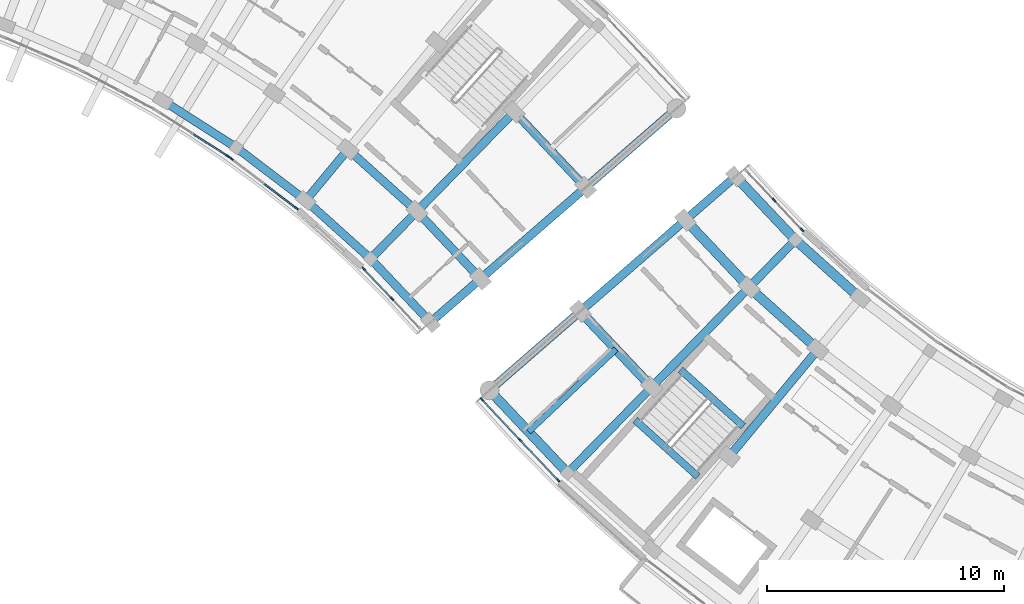
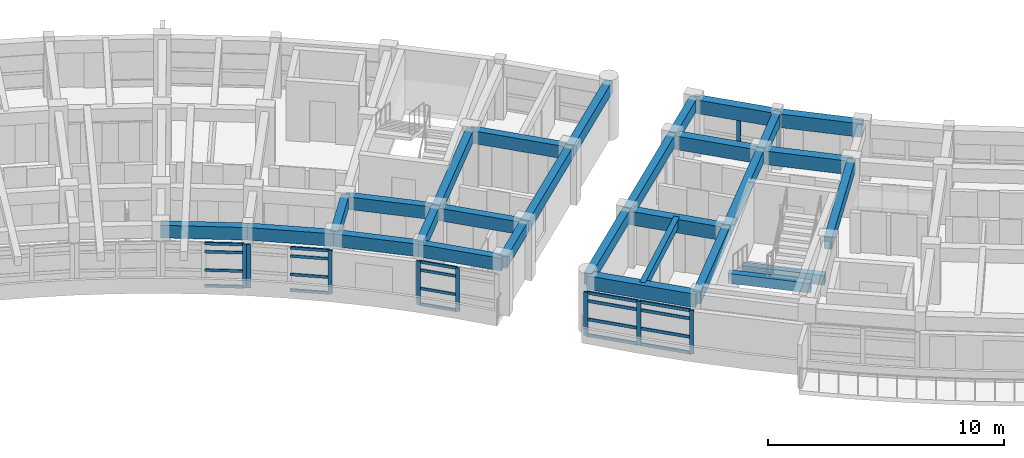
# One storey, part 10 of 54: 30 members, 29 beams, 5 elements without a shape of their own.
"""IFC4 building model written with IfcOpenShell, lengths in metres."""

from ifc_helpers import new_model, si_unit, direction, frame, origin, origin_2d, place, context, subcontext, project, spatial, rectangle, extrude, material, material_profile, profile_set, type_object, element, aggregate, save


model = new_model("IFC4")

# Units and contexts
model_context = context("Model", 3, precision=1e-05, world=origin(), true_north=direction((0.0, 1.0)))
body_context = subcontext(model_context, "Body", "Model", "MODEL_VIEW")
ifc_project = project(units=[si_unit("LENGTHUNIT", "METRE"), si_unit("AREAUNIT", "SQUARE_METRE"), si_unit("VOLUMEUNIT", "CUBIC_METRE"), si_unit("PLANEANGLEUNIT", "RADIAN"), si_unit("MASSUNIT", "GRAM", prefix="KILO")], contexts=[model_context])

# Site, building, storey
site_placement = place(None, origin())
site = spatial("IfcSite", under=ifc_project, at=site_placement, CompositionType="ELEMENT")
building_placement = place(site_placement, origin())
building = spatial("IfcBuilding", under=site, at=building_placement, Name="Zimvara Arc Housing Community", CompositionType="ELEMENT")
storey_placement = place(building_placement, frame((0.0, 0.0, 20.5)))
storey = spatial("IfcBuildingStorey", under=building, at=storey_placement, Name="L06", CompositionType="ELEMENT", Elevation=20.5)

# Beams
ifc_material_1 = material(Name="Concrete C40/50", Category="concrete")
ifc_material_profile_1 = material_profile(ifc_material_1, rectangle(XDim=0.25, YDim=0.449951171875, at=origin_2d()), Name="RC 250x450")
ifc_profile_set_1 = profile_set([ifc_material_profile_1], Name="Concrete C40/50")
beam_type_1 = type_object("IfcBeamType", Name="BM-RC-250x450", PredefinedType="JOIST", material=ifc_profile_set_1)
beam_1_placement = place(storey_placement, frame((86.88427734375, 72.966552734375, 2.635009765625), z_axis=(-0.727299876429, -0.686319815936, 0.0), x_axis=(0.686319815936, -0.727299876429, 0.0)))
element("IfcBeam", 1, at=beam_1_placement, inside=storey, type_object=beam_type_1, Name="bm:blkC:L06:joist:b0", PredefinedType="JOIST", context=body_context, shape_type="SweptSolid", body=[
    extrude(rectangle(XDim=0.25, YDim=0.449951171875, at=origin_2d()), origin(), (0.0, 0.0, 1.0), 5.075927734375),
])
ifc_material_2 = material(Name="Concrete C40/50", Category="concrete")
ifc_material_profile_2 = material_profile(ifc_material_2, rectangle(XDim=0.300048828125, YDim=0.5, at=origin_2d()), Name="RC 300x500")
ifc_profile_set_2 = profile_set([ifc_material_profile_2], Name="Concrete C40/50")
beam_type_2 = type_object("IfcBeamType", Name="BM-RC-300x500", PredefinedType="BEAM", material=ifc_profile_set_2)
beam_2_placement = place(storey_placement, frame((89.604248046875, 72.100830078125, -0.25), z_axis=(0.743396155404, -0.668851370732, 0.0), x_axis=(0.668851370732, 0.743396155404, 0.0)))
element("IfcBeam", 2, at=beam_2_placement, inside=storey, type_object=beam_type_2, Name="bm:stair_trim:ST-C1:L06:near", PredefinedType="BEAM", context=body_context, shape_type="SweptSolid", body=[
    extrude(rectangle(XDim=0.300048828125, YDim=0.5, at=origin_2d()), origin(), (0.0, 0.0, 1.0), 3.56982421875),
])
beam_3_placement = place(storey_placement, frame((87.68994140625, 69.973388671875, 1.300048828125), z_axis=(0.743362151162, -0.668889162881, 0.0), x_axis=(0.668889162881, 0.743362151162, 0.0)))
element("IfcBeam", 3, at=beam_3_placement, inside=storey, type_object=beam_type_2, Name="bm:stair_trim:ST-C1:L06:mid", PredefinedType="BEAM", context=body_context, shape_type="SweptSolid", body=[
    extrude(rectangle(XDim=0.300048828125, YDim=0.5, at=origin_2d()), origin(), (0.0, 0.0, 1.0), 3.570068359375),
])
ifc_material_3 = material(Name="Concrete C40/50", Category="concrete")
ifc_material_profile_3 = material_profile(ifc_material_3, rectangle(XDim=0.35009765625, YDim=0.60009765625, at=origin_2d()), Name="RC 350x600")
ifc_profile_set_3 = profile_set([ifc_material_profile_3], Name="Concrete C40/50")
beam_type_3 = type_object("IfcBeamType", Name="BM-RC-350x600", PredefinedType="BEAM", material=ifc_profile_set_3)
for number, where, z_axis, x_axis, name in (
    (4, (73.784912109375, 79.245361328125, 2.56005859375), (0.637917412223, 0.770104781951, 0.0), (-0.770104781951, 0.637917412223, 0.0), "bm:blkB:L06:rad:b8:r01"),
    (5, (76.523681640625, 76.781005859375, 2.56005859375), (0.698643013894, 0.71547043205, 0.0), (-0.71547043205, 0.698643013894, 0.0), "bm:blkB:L06:rad:b9:r01"),
):
    element("IfcBeam", number, at=place(storey_placement, frame(where, z_axis=z_axis, x_axis=x_axis)), inside=storey, type_object=beam_type_3, Name=name, PredefinedType="BEAM", context=body_context, shape_type="SweptSolid", body=[
        extrude(rectangle(XDim=0.35009765625, YDim=0.60009765625, at=origin_2d()), origin(), (0.0, 0.0, 1.0), 2.800048828125),
    ])
beam_4_placement = place(storey_placement, frame((78.47998046875, 78.784423828125, 2.56005859375), z_axis=(0.698669844288, 0.715444231707, 0.0), x_axis=(-0.715444231707, 0.698669844288, 0.0)))
element("IfcBeam", 6, at=beam_4_placement, inside=storey, type_object=beam_type_3, Name="bm:blkB:L06:rad:b9:r12", PredefinedType="BEAM", context=body_context, shape_type="SweptSolid", body=[
    extrude(rectangle(XDim=0.35009765625, YDim=0.60009765625, at=origin_2d()), origin(), (0.0, 0.0, 1.0), 5.8798828125),
])
beam_5_placement = place(storey_placement, frame((79.052490234375, 74.101318359375, 2.56005859375), z_axis=(0.754733151583, 0.656031912259, 0.0), x_axis=(-0.656031912259, 0.754733151583, 0.0)))
element("IfcBeam", 7, at=beam_5_placement, inside=storey, type_object=beam_type_3, Name="bm:blkB:L06:rad:b10:r01", PredefinedType="BEAM", context=body_context, shape_type="SweptSolid", body=[
    extrude(rectangle(XDim=0.35009765625, YDim=0.60009765625, at=origin_2d()), origin(), (0.0, 0.0, 1.0), 2.800048828125),
])
beam_6_placement = place(storey_placement, frame((81.165771484375, 75.938232421875, 2.56005859375), z_axis=(0.754692223258, 0.656078995362, 0.0), x_axis=(-0.656078995362, 0.754692223258, 0.0)))
element("IfcBeam", 8, at=beam_6_placement, inside=storey, type_object=beam_type_3, Name="bm:blkB:L06:rad:b10:r12", PredefinedType="BEAM", context=body_context, shape_type="SweptSolid", body=[
    extrude(rectangle(XDim=0.35009765625, YDim=0.60009765625, at=origin_2d()), origin(), (0.0, 0.0, 1.0), 5.8798828125),
])
beam_7_placement = place(storey_placement, frame((85.603271484375, 79.7958984375, 2.56005859375), z_axis=(0.754716217499, 0.656051393599, 0.0), x_axis=(-0.656051393599, 0.754716217499, 0.0)))
element("IfcBeam", 9, at=beam_7_placement, inside=storey, type_object=beam_type_3, Name="bm:blkB:L06:rad:b10:r23", PredefinedType="BEAM", context=body_context, shape_type="SweptSolid", body=[
    extrude(rectangle(XDim=0.35009765625, YDim=0.60009765625, at=origin_2d()), origin(), (0.0, 0.0, 1.0), 5.080078125),
])
beam_8_placement = place(storey_placement, frame((91.927490234375, 80.258544921875, 2.56005859375), z_axis=(-0.754733151583, -0.656031912259, 0.0), x_axis=(0.656031912259, -0.754733151583, 0.0)))
element("IfcBeam", 10, at=beam_8_placement, inside=storey, type_object=beam_type_3, Name="bm:blkC:L06:rad:b0:r01", PredefinedType="BEAM", context=body_context, shape_type="SweptSolid", body=[
    extrude(rectangle(XDim=0.35009765625, YDim=0.60009765625, at=origin_2d()), origin(), (0.0, 0.0, 1.0), 2.800048828125),
])
beam_9_placement = place(storey_placement, frame((89.814208984375, 78.421630859375, 2.56005859375), z_axis=(-0.754692223258, -0.656078995362, 0.0), x_axis=(0.656078995362, -0.754692223258, 0.0)))
element("IfcBeam", 11, at=beam_9_placement, inside=storey, type_object=beam_type_3, Name="bm:blkC:L06:rad:b0:r12", PredefinedType="BEAM", context=body_context, shape_type="SweptSolid", body=[
    extrude(rectangle(XDim=0.35009765625, YDim=0.60009765625, at=origin_2d()), origin(), (0.0, 0.0, 1.0), 5.8798828125),
])
beam_10_placement = place(storey_placement, frame((85.376708984375, 74.56396484375, 2.56005859375), z_axis=(-0.754716217499, -0.656051393599, 0.0), x_axis=(0.656051393599, -0.754716217499, 0.0)))
element("IfcBeam", 12, at=beam_10_placement, inside=storey, type_object=beam_type_3, Name="bm:blkC:L06:rad:b0:r23", PredefinedType="BEAM", context=body_context, shape_type="SweptSolid", body=[
    extrude(rectangle(XDim=0.35009765625, YDim=0.60009765625, at=origin_2d()), origin(), (0.0, 0.0, 1.0), 5.080078125),
])
beam_11_placement = place(storey_placement, frame((94.456298828125, 77.578857421875, 2.56005859375), z_axis=(-0.69868659732, -0.715427871085, 0.0), x_axis=(0.715427871085, -0.69868659732, 0.0)))
element("IfcBeam", 13, at=beam_11_placement, inside=storey, type_object=beam_type_3, Name="bm:blkC:L06:rad:b1:r01", PredefinedType="BEAM", context=body_context, shape_type="SweptSolid", body=[
    extrude(rectangle(XDim=0.35009765625, YDim=0.60009765625, at=origin_2d()), origin(), (0.0, 0.0, 1.0), 2.800048828125),
])
beam_12_placement = place(storey_placement, frame((92.5, 75.57568359375, 2.56005859375), z_axis=(-0.698669844288, -0.715444231707, 0.0), x_axis=(0.715444231707, -0.698669844288, 0.0)))
element("IfcBeam", 14, at=beam_12_placement, inside=storey, type_object=beam_type_3, Name="bm:blkC:L06:rad:b1:r12", PredefinedType="BEAM", context=body_context, shape_type="SweptSolid", body=[
    extrude(rectangle(XDim=0.35009765625, YDim=0.60009765625, at=origin_2d()), origin(), (0.0, 0.0, 1.0), 5.8798828125),
])
beam_13_placement = place(storey_placement, frame((88.391845703125, 71.368896484375, 2.56005859375), z_axis=(-0.698670885014, -0.71544321538, 0.0), x_axis=(0.71544321538, -0.698670885014, 0.0)))
element("IfcBeam", 15, at=beam_13_placement, inside=storey, type_object=beam_type_3, Name="bm:blkC:L06:rad:b1:r23", PredefinedType="BEAM", context=body_context, shape_type="SweptSolid", body=[
    extrude(rectangle(XDim=0.35009765625, YDim=0.60009765625, at=origin_2d()), origin(), (0.0, 0.0, 1.0), 5.080078125),
])
beam_14_placement = place(storey_placement, frame((95.408935546875, 72.958251953125, 2.56005859375), z_axis=(-0.637976362518, -0.770055946583, 0.0), x_axis=(0.770055946583, -0.637976362518, 0.0)))
element("IfcBeam", 16, at=beam_14_placement, inside=storey, type_object=beam_type_3, Name="bm:blkC:L06:rad:b2:r12", PredefinedType="BEAM", context=body_context, shape_type="SweptSolid", body=[
    extrude(rectangle(XDim=0.35009765625, YDim=0.60009765625, at=origin_2d()), origin(), (0.0, 0.0, 1.0), 5.8798828125),
])
ifc_material_4 = material(Name="Concrete C40/50", Category="concrete")
ifc_material_profile_4 = material_profile(ifc_material_4, rectangle(XDim=0.35009765625, YDim=0.64990234375, at=origin_2d()), Name="RC 350x650")
ifc_profile_set_4 = profile_set([ifc_material_profile_4], Name="Concrete C40/50")
beam_type_4 = type_object("IfcBeamType", Name="BM-RC-350x650", PredefinedType="BEAM", material=ifc_profile_set_4)
beam_15_placement = place(storey_placement, frame((67.750732421875, 83.46435546875, 2.534912109375), z_axis=(0.842272604079, -0.539051816079, 0.0), x_axis=(0.539051816079, 0.842272604079, 0.0)))
element("IfcBeam", 17, at=beam_15_placement, inside=storey, type_object=beam_type_4, Name="bm:blkB:L06:chord:r0:b6", PredefinedType="BEAM", context=body_context, shape_type="SweptSolid", body=[
    extrude(rectangle(XDim=0.35009765625, YDim=0.64990234375, at=origin_2d()), origin(), (0.0, 0.0, 1.0), 3.684326171875),
])
beam_16_placement = place(storey_placement, frame((70.85400390625, 81.478271484375, 2.534912109375), z_axis=(0.795453014049, -0.606015265847, 0.0), x_axis=(0.606015265847, 0.795453014049, 0.0)))
element("IfcBeam", 18, at=beam_16_placement, inside=storey, type_object=beam_type_4, Name="bm:blkB:L06:chord:r0:b7", PredefinedType="BEAM", context=body_context, shape_type="SweptSolid", body=[
    extrude(rectangle(XDim=0.35009765625, YDim=0.64990234375, at=origin_2d()), origin(), (0.0, 0.0, 1.0), 3.6845703125),
])
beam_17_placement = place(storey_placement, frame((73.784912109375, 79.245361328125, 2.534912109375), z_axis=(0.743366631239, -0.668884183966, 0.0), x_axis=(0.668884183966, 0.743366631239, 0.0)))
element("IfcBeam", 19, at=beam_17_placement, inside=storey, type_object=beam_type_4, Name="bm:blkB:L06:chord:r0:b8", PredefinedType="BEAM", context=body_context, shape_type="SweptSolid", body=[
    extrude(rectangle(XDim=0.35009765625, YDim=0.64990234375, at=origin_2d()), origin(), (0.0, 0.0, 1.0), 3.684326171875),
])
beam_18_placement = place(storey_placement, frame((76.523681640625, 76.781005859375, 2.534912109375), z_axis=(0.686335517678, -0.727285059088, 0.0), x_axis=(0.727285059088, 0.686335517678, 0.0)))
element("IfcBeam", 20, at=beam_18_placement, inside=storey, type_object=beam_type_4, Name="bm:blkB:L06:chord:r0:b9", PredefinedType="BEAM", context=body_context, shape_type="SweptSolid", body=[
    extrude(rectangle(XDim=0.35009765625, YDim=0.64990234375, at=origin_2d()), origin(), (0.0, 0.0, 1.0), 3.6845703125),
])
beam_19_placement = place(storey_placement, frame((75.571044921875, 81.401611328125, 2.534912109375), z_axis=(0.743402719516, -0.668844074965, 0.0), x_axis=(0.668844074965, 0.743402719516, 0.0)))
element("IfcBeam", 21, at=beam_19_placement, inside=storey, type_object=beam_type_4, Name="bm:blkB:L06:chord:r1:b8", PredefinedType="BEAM", context=body_context, shape_type="SweptSolid", body=[
    extrude(rectangle(XDim=0.35009765625, YDim=0.64990234375, at=origin_2d()), origin(), (0.0, 0.0, 1.0), 3.9130859375),
])
beam_20_placement = place(storey_placement, frame((78.47998046875, 78.784423828125, 2.534912109375), z_axis=(0.686315710793, -0.727303750243, 0.0), x_axis=(0.727303750243, 0.686315710793, 0.0)))
element("IfcBeam", 22, at=beam_20_placement, inside=storey, type_object=beam_type_4, Name="bm:blkB:L06:chord:r1:b9", PredefinedType="BEAM", context=body_context, shape_type="SweptSolid", body=[
    extrude(rectangle(XDim=0.35009765625, YDim=0.64990234375, at=origin_2d()), origin(), (0.0, 0.0, 1.0), 3.913330078125),
])
beam_21_placement = place(storey_placement, frame((82.588134765625, 82.9912109375, 2.534912109375), z_axis=(0.686303637813, -0.727315142648, 0.0), x_axis=(0.727315142648, 0.686303637813, 0.0)))
element("IfcBeam", 23, at=beam_21_placement, inside=storey, type_object=beam_type_4, Name="bm:blkB:L06:chord:r2:b9", PredefinedType="BEAM", context=body_context, shape_type="SweptSolid", body=[
    extrude(rectangle(XDim=0.35009765625, YDim=0.64990234375, at=origin_2d()), origin(), (0.0, 0.0, 1.0), 4.393310546875),
])
ifc_material_5 = material(Name="Concrete C40/50", Category="concrete")
ifc_material_profile_5 = material_profile(ifc_material_5, rectangle(XDim=0.39990234375, YDim=0.699951171875, at=origin_2d()), Name="RC 400x700")
ifc_profile_set_5 = profile_set([ifc_material_profile_5], Name="Concrete C40/50")
beam_type_5 = type_object("IfcBeamType", Name="BM-RC-400x700", PredefinedType="BEAM", material=ifc_profile_set_5)
beam_22_placement = place(storey_placement, frame((91.927490234375, 80.258544921875, 2.510009765625), z_axis=(0.686335517678, -0.727285059088, 0.0), x_axis=(0.727285059088, 0.686335517678, 0.0)))
element("IfcBeam", 24, at=beam_22_placement, inside=storey, type_object=beam_type_5, Name="bm:blkC:L06:chord:r0:b0", PredefinedType="BEAM", context=body_context, shape_type="SweptSolid", body=[
    extrude(rectangle(XDim=0.39990234375, YDim=0.699951171875, at=origin_2d()), origin(), (0.0, 0.0, 1.0), 3.6845703125),
])
beam_23_placement = place(storey_placement, frame((94.456298828125, 77.578857421875, 2.510009765625), z_axis=(0.743366631239, -0.668884183966, 0.0), x_axis=(0.668884183966, 0.743366631239, 0.0)))
element("IfcBeam", 25, at=beam_23_placement, inside=storey, type_object=beam_type_5, Name="bm:blkC:L06:chord:r0:b1", PredefinedType="BEAM", context=body_context, shape_type="SweptSolid", body=[
    extrude(rectangle(XDim=0.39990234375, YDim=0.699951171875, at=origin_2d()), origin(), (0.0, 0.0, 1.0), 3.684326171875),
])
for number, where, z_axis, x_axis, name in (
    (26, (89.814208984375, 78.421630859375, 2.510009765625), (0.686346852505, -0.727274362299, 0.0), (0.727274362299, 0.686346852505, 0.0), "bm:blkC:L06:chord:r1:b0"),
    (27, (92.5, 75.57568359375, 2.510009765625), (0.743371697344, -0.668878553691, 0.0), (0.668878553691, 0.743371697344, 0.0), "bm:blkC:L06:chord:r1:b1"),
):
    element("IfcBeam", number, at=place(storey_placement, frame(where, z_axis=z_axis, x_axis=x_axis)), inside=storey, type_object=beam_type_5, Name=name, PredefinedType="BEAM", context=body_context, shape_type="SweptSolid", body=[
        extrude(rectangle(XDim=0.39990234375, YDim=0.699951171875, at=origin_2d()), origin(), (0.0, 0.0, 1.0), 3.9130859375),
    ])
beam_24_placement = place(storey_placement, frame((85.376708984375, 74.56396484375, 2.510009765625), z_axis=(0.686331377274, -0.727288966347, 0.0), x_axis=(0.727288966347, 0.686331377274, 0.0)))
element("IfcBeam", 28, at=beam_24_placement, inside=storey, type_object=beam_type_5, Name="bm:blkC:L06:chord:r2:b0", PredefinedType="BEAM", context=body_context, shape_type="SweptSolid", body=[
    extrude(rectangle(XDim=0.39990234375, YDim=0.699951171875, at=origin_2d()), origin(), (0.0, 0.0, 1.0), 4.39306640625),
])
beam_25_placement = place(storey_placement, frame((81.542724609375, 71.231201171875, 2.510009765625), z_axis=(0.686320791145, -0.727298956168, 0.0), x_axis=(0.727298956168, 0.686320791145, 0.0)))
element("IfcBeam", 29, at=beam_25_placement, inside=storey, type_object=beam_type_5, Name="bm:blkC:L06:chord:r3:b0", PredefinedType="BEAM", context=body_context, shape_type="SweptSolid", body=[
    extrude(rectangle(XDim=0.39990234375, YDim=0.699951171875, at=origin_2d()), origin(), (0.0, 0.0, 1.0), 4.807861328125),
])

# Curtain wall, member
ifc_material_6 = material(Name="Anodised Aluminium AW-6063", Category="aluminium")
curtain_wall_type_1 = type_object("IfcCurtainWallType", Name="CW-SYS-02", PredefinedType="USERDEFINED", material=ifc_material_6)
curtain_wall_1_placement = place(storey_placement, origin())
curtain_wall_1 = element("IfcCurtainWall", 30, at=curtain_wall_1_placement, inside=storey, type_object=curtain_wall_type_1, Name="cw:blkB:L06:in:b6", ObjectType="CURTAIN WALL", PredefinedType="USERDEFINED")
ifc_material_7 = material(Name="Anodised Aluminium AW-6063", Category="aluminium")
ifc_material_profile_6 = material_profile(ifc_material_7, rectangle(XDim=0.06494140625, YDim=0.179931640625, at=origin_2d()), Name="ALU 65x180")
ifc_profile_set_6 = profile_set([ifc_material_profile_6], Name="Anodised Aluminium AW-6063")
member_type_1 = type_object("IfcMemberType", Name="CWM-65x150", PredefinedType="MULLION", material=ifc_profile_set_6)
member_1_placement = place(storey_placement, frame((70.489501953125, 81.118408203125, 0.0), z_axis=(0.0, 0.0, 1.0), x_axis=(0.539064085203, 0.842264751752, 0.0)))
member_1 = element("IfcMember", 31, at=member_1_placement, type_object=member_type_1, Name="CW02 mullion 3", PredefinedType="MULLION", context=body_context, shape_type="SweptSolid", body=[
    extrude(rectangle(XDim=0.06494140625, YDim=0.179931640625, at=origin_2d()), origin(), (0.0, 0.0, 1.0), 2.25),
])

# Curtain wall, members
ifc_material_8 = material(Name="Anodised Aluminium AW-6063", Category="aluminium")
curtain_wall_type_2 = type_object("IfcCurtainWallType", Name="CW-SYS-04", PredefinedType="USERDEFINED", material=ifc_material_8)
curtain_wall_2_placement = place(storey_placement, origin())
curtain_wall_2 = element("IfcCurtainWall", 32, at=curtain_wall_2_placement, inside=storey, type_object=curtain_wall_type_2, Name="cw:blkB:L06:in:b7", ObjectType="CURTAIN WALL", PredefinedType="USERDEFINED")
member_2_placement = place(storey_placement, frame((70.64111328125, 81.012451171875, 0.0), z_axis=(0.0, 0.0, 1.0), x_axis=(0.605988318533, 0.795473543119, 0.0)))
member_2 = element("IfcMember", 33, at=member_2_placement, type_object=member_type_1, Name="CW04 mullion 1", PredefinedType="MULLION", context=body_context, shape_type="SweptSolid", body=[
    extrude(rectangle(XDim=0.06494140625, YDim=0.179931640625, at=origin_2d()), origin(), (0.0, 0.0, 1.0), 2.25),
])
member_3_placement = place(storey_placement, frame((73.392333984375, 78.91650390625, 0.0), z_axis=(0.0, 0.0, 1.0), x_axis=(0.605988318533, 0.795473543119, 0.0)))
member_3 = element("IfcMember", 34, at=member_3_placement, type_object=member_type_1, Name="CW04 mullion 3", PredefinedType="MULLION", context=body_context, shape_type="SweptSolid", body=[
    extrude(rectangle(XDim=0.06494140625, YDim=0.179931640625, at=origin_2d()), origin(), (0.0, 0.0, 1.0), 2.25),
])

ifc_material_9 = material(Name="Anodised Aluminium AW-6063", Category="aluminium")
curtain_wall_type_3 = type_object("IfcCurtainWallType", Name="CW-SYS-06", PredefinedType="USERDEFINED", material=ifc_material_9)
curtain_wall_3_placement = place(storey_placement, origin())
curtain_wall_3 = element("IfcCurtainWall", 35, at=curtain_wall_3_placement, inside=storey, type_object=curtain_wall_type_3, Name="cw:blkB:L06:in:b9", ObjectType="CURTAIN WALL", PredefinedType="USERDEFINED")
member_4_placement = place(storey_placement, frame((76.238037109375, 76.35595703125, 0.0), z_axis=(0.0, 0.0, 1.0), x_axis=(0.727293280483, 0.686326805658, 0.0)))
member_4 = element("IfcMember", 36, at=member_4_placement, type_object=member_type_1, Name="CW06 mullion 1", PredefinedType="MULLION", context=body_context, shape_type="SweptSolid", body=[
    extrude(rectangle(XDim=0.06494140625, YDim=0.179931640625, at=origin_2d()), origin(), (0.0, 0.0, 1.0), 2.25),
])
member_5_placement = place(storey_placement, frame((77.4248046875, 75.098388671875, 0.0), z_axis=(0.0, 0.0, 1.0), x_axis=(0.727293280483, 0.686326805658, 0.0)))
member_5 = element("IfcMember", 37, at=member_5_placement, type_object=member_type_1, Name="CW06 mullion 2", PredefinedType="MULLION", context=body_context, shape_type="SweptSolid", body=[
    extrude(rectangle(XDim=0.06494140625, YDim=0.179931640625, at=origin_2d()), origin(), (0.0, 0.0, 1.0), 2.25),
])

curtain_wall_4_placement = place(storey_placement, origin())
curtain_wall_4 = element("IfcCurtainWall", 38, at=curtain_wall_4_placement, inside=storey, type_object=curtain_wall_type_3, Name="cw:blkC:L06:in:b0", ObjectType="CURTAIN WALL", PredefinedType="USERDEFINED")
member_6_placement = place(storey_placement, frame((93.55517578125, 79.26171875, 0.0), z_axis=(0.0, 0.0, 1.0), x_axis=(0.727293280483, 0.686326805658, 0.0)))
member_6 = element("IfcMember", 39, at=member_6_placement, type_object=member_type_1, Name="CW06 mullion 2", PredefinedType="MULLION", context=body_context, shape_type="SweptSolid", body=[
    extrude(rectangle(XDim=0.06494140625, YDim=0.179931640625, at=origin_2d()), origin(), (0.0, 0.0, 1.0), 2.25),
])
member_7_placement = place(storey_placement, frame((94.7421875, 78.00390625, 0.0), z_axis=(0.0, 0.0, 1.0), x_axis=(0.727293280483, 0.686326805658, 0.0)))
member_7 = element("IfcMember", 40, at=member_7_placement, type_object=member_type_1, Name="CW06 mullion 3", PredefinedType="MULLION", context=body_context, shape_type="SweptSolid", body=[
    extrude(rectangle(XDim=0.06494140625, YDim=0.179931640625, at=origin_2d()), origin(), (0.0, 0.0, 1.0), 2.25),
])
aggregate(curtain_wall_4, [member_6, member_7])

ifc_material_10 = material(Name="Anodised Aluminium AW-6063", Category="aluminium")
curtain_wall_type_4 = type_object("IfcCurtainWallType", Name="CW-SYS-05", PredefinedType="USERDEFINED", material=ifc_material_10)
curtain_wall_5_placement = place(storey_placement, origin())
curtain_wall_5 = element("IfcCurtainWall", 41, at=curtain_wall_5_placement, inside=storey, type_object=curtain_wall_type_4, Name="cw:blkC:L06:out:b0", ObjectType="CURTAIN WALL", PredefinedType="USERDEFINED")
ifc_material_11 = material(Name="Anodised Aluminium AW-6063", Category="aluminium")
ifc_material_profile_7 = material_profile(ifc_material_11, rectangle(XDim=0.06494140625, YDim=0.195068359375, at=origin_2d()), Name="ALU 65x195")
ifc_profile_set_7 = profile_set([ifc_material_profile_7], Name="Anodised Aluminium AW-6063")
member_type_2 = type_object("IfcMemberType", Name="CWM-65x180", PredefinedType="MULLION", material=ifc_profile_set_7)
member_8_placement = place(storey_placement, frame((81.228759765625, 70.8359375, 0.0), z_axis=(0.0, 0.0, 1.0), x_axis=(0.727293647725, 0.686326416495, 0.0)))
member_8 = element("IfcMember", 42, at=member_8_placement, type_object=member_type_2, Name="CW05 mullion 1", PredefinedType="MULLION", context=body_context, shape_type="SweptSolid", body=[
    extrude(rectangle(XDim=0.06494140625, YDim=0.195068359375, at=origin_2d()), origin(), (0.0, 0.0, 1.0), 2.25),
])
member_9_placement = place(storey_placement, frame((82.829345703125, 69.139892578125, 0.0), z_axis=(0.0, 0.0, 1.0), x_axis=(0.727293647725, 0.686326416495, 0.0)))
member_9 = element("IfcMember", 43, at=member_9_placement, type_object=member_type_2, Name="CW05 mullion 2", PredefinedType="MULLION", context=body_context, shape_type="SweptSolid", body=[
    extrude(rectangle(XDim=0.06494140625, YDim=0.195068359375, at=origin_2d()), origin(), (0.0, 0.0, 1.0), 2.25),
])
member_10_placement = place(storey_placement, frame((84.4296875, 67.44384765625, 0.0), z_axis=(0.0, 0.0, 1.0), x_axis=(0.727293647725, 0.686326416495, 0.0)))
member_10 = element("IfcMember", 44, at=member_10_placement, type_object=member_type_2, Name="CW05 mullion 3", PredefinedType="MULLION", context=body_context, shape_type="SweptSolid", body=[
    extrude(rectangle(XDim=0.06494140625, YDim=0.195068359375, at=origin_2d()), origin(), (0.0, 0.0, 1.0), 2.25),
])

# Member
ifc_material_12 = material(Name="Anodised Aluminium AW-6063", Category="aluminium")
ifc_material_profile_8 = material_profile(ifc_material_12, rectangle(XDim=0.06494140625, YDim=0.139892578125, at=origin_2d()), Name="ALU 65x140")
ifc_profile_set_8 = profile_set([ifc_material_profile_8], Name="Anodised Aluminium AW-6063")
member_type_3 = type_object("IfcMemberType", Name="CWT-65x120", PredefinedType="USERDEFINED", material=ifc_profile_set_8)
member_11_placement = place(storey_placement, frame((69.060302734375, 82.032958984375, 0.032470703125), z_axis=(0.842263408668, -0.539066183709, 0.0), x_axis=(0.539066183709, 0.842263408668, 0.0)))
member_11 = element("IfcMember", 45, at=member_11_placement, type_object=member_type_3, Name="CW02 transom 2.1", ObjectType="TRANSOM", PredefinedType="USERDEFINED", context=body_context, shape_type="SweptSolid", body=[
    extrude(rectangle(XDim=0.06494140625, YDim=0.139892578125, at=origin_2d()), origin(), (0.0, 0.0, 1.0), 1.664306640625),
])

member_12_placement = place(storey_placement, frame((69.060302734375, 82.032958984375, 0.85009765625), z_axis=(0.842263408668, -0.539066183709, 0.0), x_axis=(0.539066183709, 0.842263408668, 0.0)))
member_12 = element("IfcMember", 46, at=member_12_placement, type_object=member_type_3, Name="CW02 transom 2.2", ObjectType="TRANSOM", PredefinedType="USERDEFINED", context=body_context, shape_type="SweptSolid", body=[
    extrude(rectangle(XDim=0.06494140625, YDim=0.139892578125, at=origin_2d()), origin(), (0.0, 0.0, 1.0), 1.664306640625),
])

member_13_placement = place(storey_placement, frame((69.060302734375, 82.032958984375, 1.800048828125), z_axis=(0.842263408668, -0.539066183709, 0.0), x_axis=(0.539066183709, 0.842263408668, 0.0)))
member_13 = element("IfcMember", 47, at=member_13_placement, type_object=member_type_3, Name="CW02 transom 2.3", ObjectType="TRANSOM", PredefinedType="USERDEFINED", context=body_context, shape_type="SweptSolid", body=[
    extrude(rectangle(XDim=0.06494140625, YDim=0.139892578125, at=origin_2d()), origin(), (0.0, 0.0, 1.0), 1.664306640625),
])

member_14_placement = place(storey_placement, frame((69.060302734375, 82.032958984375, 2.217529296875), z_axis=(0.842263408668, -0.539066183709, 0.0), x_axis=(0.539066183709, 0.842263408668, 0.0)))
member_14 = element("IfcMember", 48, at=member_14_placement, type_object=member_type_3, Name="CW02 transom 2.4", ObjectType="TRANSOM", PredefinedType="USERDEFINED", context=body_context, shape_type="SweptSolid", body=[
    extrude(rectangle(XDim=0.06494140625, YDim=0.139892578125, at=origin_2d()), origin(), (0.0, 0.0, 1.0), 1.664306640625),
])

aggregate(curtain_wall_1, [member_1, member_11, member_12, member_13, member_14])

member_15_placement = place(storey_placement, frame((72.04248046875, 79.94482421875, 0.032470703125), z_axis=(0.795488960577, -0.605968079687, 0.0), x_axis=(0.605968079687, 0.795488960577, 0.0)))
member_15 = element("IfcMember", 49, at=member_15_placement, type_object=member_type_3, Name="CW04 transom 2.1", ObjectType="TRANSOM", PredefinedType="USERDEFINED", context=body_context, shape_type="SweptSolid", body=[
    extrude(rectangle(XDim=0.06494140625, YDim=0.139892578125, at=origin_2d()), origin(), (0.0, 0.0, 1.0), 1.664306640625),
])

member_16_placement = place(storey_placement, frame((72.04248046875, 79.94482421875, 0.85009765625), z_axis=(0.795488960577, -0.605968079687, 0.0), x_axis=(0.605968079687, 0.795488960577, 0.0)))
member_16 = element("IfcMember", 50, at=member_16_placement, type_object=member_type_3, Name="CW04 transom 2.2", ObjectType="TRANSOM", PredefinedType="USERDEFINED", context=body_context, shape_type="SweptSolid", body=[
    extrude(rectangle(XDim=0.06494140625, YDim=0.139892578125, at=origin_2d()), origin(), (0.0, 0.0, 1.0), 1.664306640625),
])

member_17_placement = place(storey_placement, frame((72.04248046875, 79.94482421875, 1.800048828125), z_axis=(0.795488960577, -0.605968079687, 0.0), x_axis=(0.605968079687, 0.795488960577, 0.0)))
member_17 = element("IfcMember", 51, at=member_17_placement, type_object=member_type_3, Name="CW04 transom 2.3", ObjectType="TRANSOM", PredefinedType="USERDEFINED", context=body_context, shape_type="SweptSolid", body=[
    extrude(rectangle(XDim=0.06494140625, YDim=0.139892578125, at=origin_2d()), origin(), (0.0, 0.0, 1.0), 1.664306640625),
])

member_18_placement = place(storey_placement, frame((72.04248046875, 79.94482421875, 2.217529296875), z_axis=(0.795488960577, -0.605968079687, 0.0), x_axis=(0.605968079687, 0.795488960577, 0.0)))
member_18 = element("IfcMember", 52, at=member_18_placement, type_object=member_type_3, Name="CW04 transom 2.4", ObjectType="TRANSOM", PredefinedType="USERDEFINED", context=body_context, shape_type="SweptSolid", body=[
    extrude(rectangle(XDim=0.06494140625, YDim=0.139892578125, at=origin_2d()), origin(), (0.0, 0.0, 1.0), 1.664306640625),
])

aggregate(curtain_wall_2, [member_2, member_3, member_15, member_16, member_17, member_18])

member_19_placement = place(storey_placement, frame((76.26025390625, 76.33251953125, 0.032470703125), z_axis=(0.686347817597, -0.727273451516, 0.0), x_axis=(0.727273451516, 0.686347817597, 0.0)))
member_19 = element("IfcMember", 53, at=member_19_placement, type_object=member_type_3, Name="CW06 transom 1.1", ObjectType="TRANSOM", PredefinedType="USERDEFINED", context=body_context, shape_type="SweptSolid", body=[
    extrude(rectangle(XDim=0.06494140625, YDim=0.139892578125, at=origin_2d()), origin(), (0.0, 0.0, 1.0), 1.664306640625),
])

member_20_placement = place(storey_placement, frame((76.26025390625, 76.33251953125, 0.85009765625), z_axis=(0.686347817597, -0.727273451516, 0.0), x_axis=(0.727273451516, 0.686347817597, 0.0)))
member_20 = element("IfcMember", 54, at=member_20_placement, type_object=member_type_3, Name="CW06 transom 1.2", ObjectType="TRANSOM", PredefinedType="USERDEFINED", context=body_context, shape_type="SweptSolid", body=[
    extrude(rectangle(XDim=0.06494140625, YDim=0.139892578125, at=origin_2d()), origin(), (0.0, 0.0, 1.0), 1.664306640625),
])

member_21_placement = place(storey_placement, frame((76.26025390625, 76.33251953125, 1.800048828125), z_axis=(0.686347817597, -0.727273451516, 0.0), x_axis=(0.727273451516, 0.686347817597, 0.0)))
member_21 = element("IfcMember", 55, at=member_21_placement, type_object=member_type_3, Name="CW06 transom 1.3", ObjectType="TRANSOM", PredefinedType="USERDEFINED", context=body_context, shape_type="SweptSolid", body=[
    extrude(rectangle(XDim=0.06494140625, YDim=0.139892578125, at=origin_2d()), origin(), (0.0, 0.0, 1.0), 1.664306640625),
])

member_22_placement = place(storey_placement, frame((76.26025390625, 76.33251953125, 2.217529296875), z_axis=(0.686347817597, -0.727273451516, 0.0), x_axis=(0.727273451516, 0.686347817597, 0.0)))
member_22 = element("IfcMember", 56, at=member_22_placement, type_object=member_type_3, Name="CW06 transom 1.4", ObjectType="TRANSOM", PredefinedType="USERDEFINED", context=body_context, shape_type="SweptSolid", body=[
    extrude(rectangle(XDim=0.06494140625, YDim=0.139892578125, at=origin_2d()), origin(), (0.0, 0.0, 1.0), 1.664306640625),
])

aggregate(curtain_wall_3, [member_4, member_5, member_19, member_20, member_21, member_22])

ifc_material_13 = material(Name="Anodised Aluminium AW-6063", Category="aluminium")
ifc_material_profile_9 = material_profile(ifc_material_13, rectangle(XDim=0.06494140625, YDim=0.155029296875, at=origin_2d()), Name="ALU 65x155")
ifc_profile_set_9 = profile_set([ifc_material_profile_9], Name="Anodised Aluminium AW-6063")
member_type_4 = type_object("IfcMemberType", Name="CWT-65x140", PredefinedType="USERDEFINED", material=ifc_profile_set_9)
member_23_placement = place(storey_placement, frame((81.251220703125, 70.812255859375, 0.032470703125), z_axis=(0.68629138792, -0.727326701604, 0.0), x_axis=(0.727326701604, 0.68629138792, 0.0)))
member_23 = element("IfcMember", 57, at=member_23_placement, type_object=member_type_4, Name="CW05 transom 1.1", ObjectType="TRANSOM", PredefinedType="USERDEFINED", context=body_context, shape_type="SweptSolid", body=[
    extrude(rectangle(XDim=0.06494140625, YDim=0.155029296875, at=origin_2d()), origin(), (0.0, 0.0, 1.0), 2.266845703125),
])

member_24_placement = place(storey_placement, frame((81.251220703125, 70.812255859375, 0.85009765625), z_axis=(0.68629138792, -0.727326701604, 0.0), x_axis=(0.727326701604, 0.68629138792, 0.0)))
member_24 = element("IfcMember", 58, at=member_24_placement, type_object=member_type_4, Name="CW05 transom 1.2", ObjectType="TRANSOM", PredefinedType="USERDEFINED", context=body_context, shape_type="SweptSolid", body=[
    extrude(rectangle(XDim=0.06494140625, YDim=0.155029296875, at=origin_2d()), origin(), (0.0, 0.0, 1.0), 2.266845703125),
])

member_25_placement = place(storey_placement, frame((81.251220703125, 70.812255859375, 1.800048828125), z_axis=(0.68629138792, -0.727326701604, 0.0), x_axis=(0.727326701604, 0.68629138792, 0.0)))
member_25 = element("IfcMember", 59, at=member_25_placement, type_object=member_type_4, Name="CW05 transom 1.3", ObjectType="TRANSOM", PredefinedType="USERDEFINED", context=body_context, shape_type="SweptSolid", body=[
    extrude(rectangle(XDim=0.06494140625, YDim=0.155029296875, at=origin_2d()), origin(), (0.0, 0.0, 1.0), 2.266845703125),
])

member_26_placement = place(storey_placement, frame((81.251220703125, 70.812255859375, 2.217529296875), z_axis=(0.68629138792, -0.727326701604, 0.0), x_axis=(0.727326701604, 0.68629138792, 0.0)))
member_26 = element("IfcMember", 60, at=member_26_placement, type_object=member_type_4, Name="CW05 transom 1.4", ObjectType="TRANSOM", PredefinedType="USERDEFINED", context=body_context, shape_type="SweptSolid", body=[
    extrude(rectangle(XDim=0.06494140625, YDim=0.155029296875, at=origin_2d()), origin(), (0.0, 0.0, 1.0), 2.266845703125),
])

member_27_placement = place(storey_placement, frame((82.8515625, 69.1162109375, 0.032470703125), z_axis=(0.686348357589, -0.727272941911, 0.0), x_axis=(0.727272941911, 0.686348357589, 0.0)))
member_27 = element("IfcMember", 61, at=member_27_placement, type_object=member_type_4, Name="CW05 transom 2.1", ObjectType="TRANSOM", PredefinedType="USERDEFINED", context=body_context, shape_type="SweptSolid", body=[
    extrude(rectangle(XDim=0.06494140625, YDim=0.155029296875, at=origin_2d()), origin(), (0.0, 0.0, 1.0), 2.266845703125),
])

member_28_placement = place(storey_placement, frame((82.8515625, 69.1162109375, 0.85009765625), z_axis=(0.686348357589, -0.727272941911, 0.0), x_axis=(0.727272941911, 0.686348357589, 0.0)))
member_28 = element("IfcMember", 62, at=member_28_placement, type_object=member_type_4, Name="CW05 transom 2.2", ObjectType="TRANSOM", PredefinedType="USERDEFINED", context=body_context, shape_type="SweptSolid", body=[
    extrude(rectangle(XDim=0.06494140625, YDim=0.155029296875, at=origin_2d()), origin(), (0.0, 0.0, 1.0), 2.266845703125),
])

member_29_placement = place(storey_placement, frame((82.8515625, 69.1162109375, 1.800048828125), z_axis=(0.686348357589, -0.727272941911, 0.0), x_axis=(0.727272941911, 0.686348357589, 0.0)))
member_29 = element("IfcMember", 63, at=member_29_placement, type_object=member_type_4, Name="CW05 transom 2.3", ObjectType="TRANSOM", PredefinedType="USERDEFINED", context=body_context, shape_type="SweptSolid", body=[
    extrude(rectangle(XDim=0.06494140625, YDim=0.155029296875, at=origin_2d()), origin(), (0.0, 0.0, 1.0), 2.266845703125),
])

member_30_placement = place(storey_placement, frame((82.8515625, 69.1162109375, 2.217529296875), z_axis=(0.686348357589, -0.727272941911, 0.0), x_axis=(0.727272941911, 0.686348357589, 0.0)))
member_30 = element("IfcMember", 64, at=member_30_placement, type_object=member_type_4, Name="CW05 transom 2.4", ObjectType="TRANSOM", PredefinedType="USERDEFINED", context=body_context, shape_type="SweptSolid", body=[
    extrude(rectangle(XDim=0.06494140625, YDim=0.155029296875, at=origin_2d()), origin(), (0.0, 0.0, 1.0), 2.266845703125),
])

aggregate(curtain_wall_5, [member_8, member_9, member_10, member_23, member_24, member_25, member_26, member_27, member_28, member_29, member_30])

save(model, "model.ifc")
